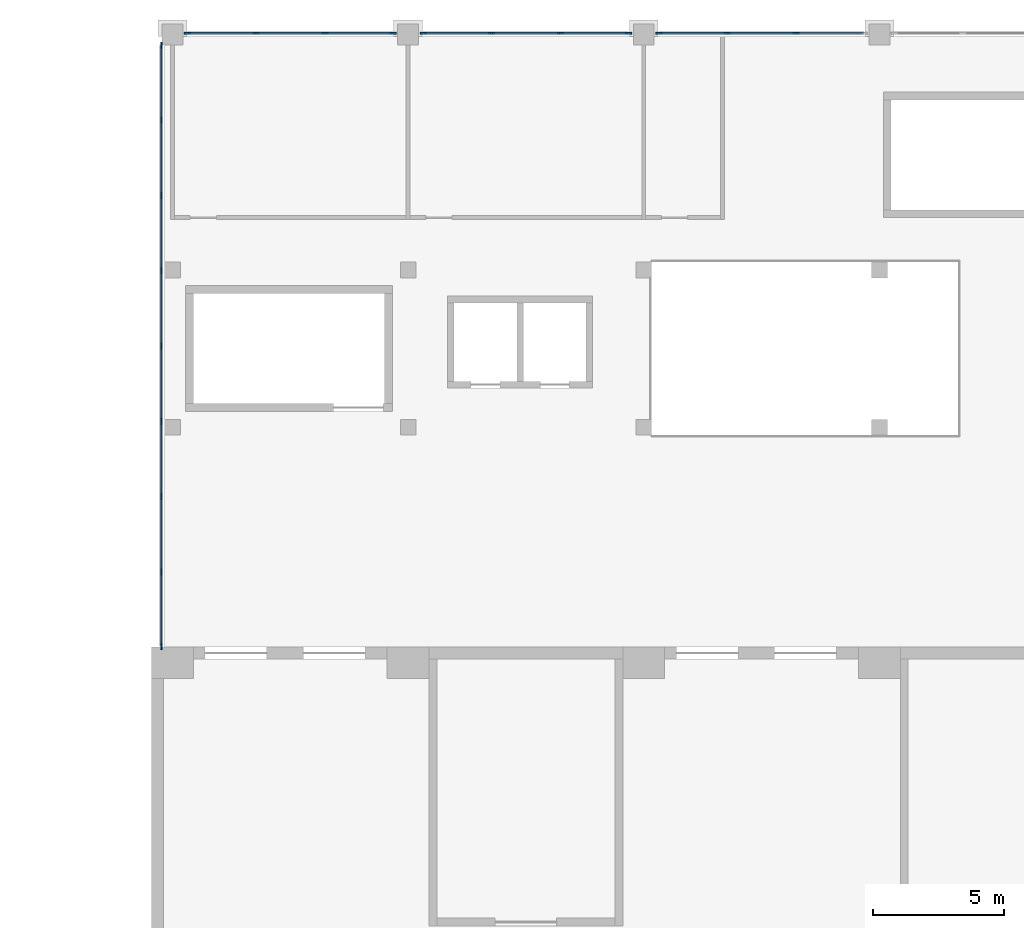
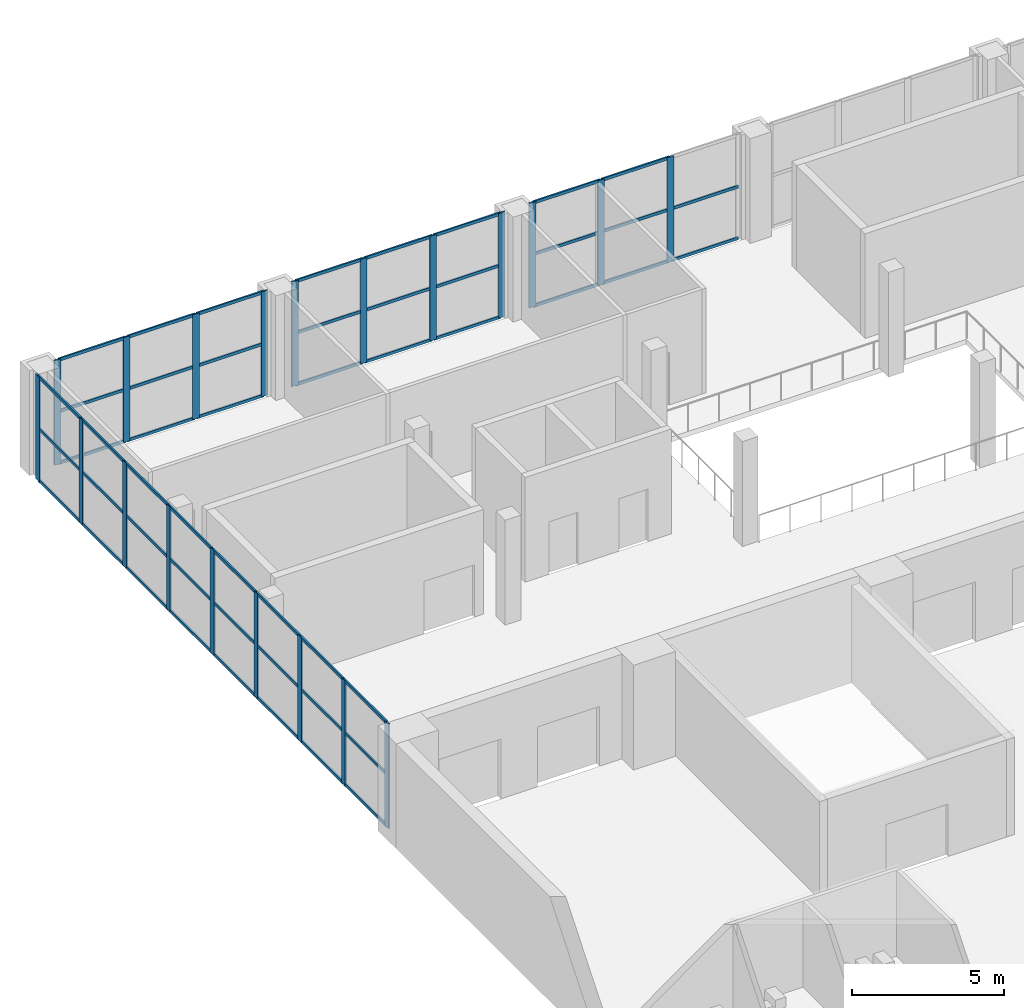
# One storey, part 3 of 39: 70 members, 4 elements without a shape of their own.
"""IFC4 building model written with IfcOpenShell, lengths in metres."""

from ifc_helpers import new_model, si_unit, direction, frame, origin, origin_2d, place, context, subcontext, project, spatial, rectangle, extrude, material, material_profile, profile_set, type_object, element, aggregate, save


model = new_model("IFC4")

# Units and contexts
model_context = context("Model", 3, precision=1e-05, world=origin(), true_north=direction((0.0, 1.0)))
body_context = subcontext(model_context, "Body", "Model", "MODEL_VIEW")
ifc_project = project(units=[si_unit("LENGTHUNIT", "METRE"), si_unit("AREAUNIT", "SQUARE_METRE"), si_unit("VOLUMEUNIT", "CUBIC_METRE"), si_unit("PLANEANGLEUNIT", "RADIAN"), si_unit("MASSUNIT", "GRAM", prefix="KILO")], contexts=[model_context])

# Site, building, storey
site_placement = place(None, origin())
site = spatial("IfcSite", under=ifc_project, at=site_placement, CompositionType="ELEMENT")
building_placement = place(site_placement, origin())
building = spatial("IfcBuilding", under=site, at=building_placement, Name="Aravalli Gate Trade Fair Centre", CompositionType="ELEMENT")
storey_placement = place(building_placement, frame((0.0, 0.0, 15.0)))
storey = spatial("IfcBuildingStorey", under=building, at=storey_placement, Name="L03", CompositionType="ELEMENT", Elevation=15.0)

# Curtain wall, members
ifc_material_1 = material(Name="Aluminium and glass", Category="aluminium")
curtain_wall_type = type_object("IfcCurtainWallType", Name="Curtain wall 3000 module, tall", PredefinedType="NOTDEFINED", material=ifc_material_1)
curtain_wall_1_placement = place(storey_placement, origin())
curtain_wall_1 = element("IfcCurtainWall", 1, at=curtain_wall_1_placement, inside=storey, type_object=curtain_wall_type, Name="Curtain wall north bay 1 L03", PredefinedType="NOTDEFINED")
ifc_material_2 = material(Name="Aluminium", Category="aluminium")
ifc_material_profile_1 = material_profile(ifc_material_2, rectangle(XDim=0.06005859375, YDim=0.25, at=origin_2d()), Name="Concourse curtain wall mullion 60 x 250")
ifc_profile_set_1 = profile_set([ifc_material_profile_1], Name="Aluminium")
member_type_1 = type_object("IfcMemberType", Name="Concourse curtain wall mullion 60 x 250", PredefinedType="MULLION", material=ifc_profile_set_1)
member_1_placement = place(storey_placement, frame((6.580078125, 133.044921875, 0.0), z_axis=(0.0, 0.0, 1.0), x_axis=(0.0, 1.0, 0.0)))
member_1 = element("IfcMember", 2, at=member_1_placement, type_object=member_type_1, Name="CW3 mullion 1", PredefinedType="MULLION", context=body_context, shape_type="SweptSolid", body=[
    extrude(rectangle(XDim=0.06005859375, YDim=0.25, at=origin_2d()), origin(), (0.0, 0.0, 1.0), 4.199951171875),
])
member_2_placement = place(storey_placement, frame((9.183349609375, 133.044921875, 0.0), z_axis=(0.0, 0.0, 1.0), x_axis=(0.0, 1.0, 0.0)))
member_2 = element("IfcMember", 3, at=member_2_placement, type_object=member_type_1, Name="CW3 mullion 2", PredefinedType="MULLION", context=body_context, shape_type="SweptSolid", body=[
    extrude(rectangle(XDim=0.06005859375, YDim=0.25, at=origin_2d()), origin(), (0.0, 0.0, 1.0), 4.199951171875),
])
member_3_placement = place(storey_placement, frame((11.816650390625, 133.044921875, 0.0), z_axis=(0.0, 0.0, 1.0), x_axis=(0.0, 1.0, 0.0)))
member_3 = element("IfcMember", 4, at=member_3_placement, type_object=member_type_1, Name="CW3 mullion 3", PredefinedType="MULLION", context=body_context, shape_type="SweptSolid", body=[
    extrude(rectangle(XDim=0.06005859375, YDim=0.25, at=origin_2d()), origin(), (0.0, 0.0, 1.0), 4.199951171875),
])
member_4_placement = place(storey_placement, frame((14.419921875, 133.044921875, 0.0), z_axis=(0.0, 0.0, 1.0), x_axis=(0.0, 1.0, 0.0)))
member_4 = element("IfcMember", 5, at=member_4_placement, type_object=member_type_1, Name="CW3 mullion 4", PredefinedType="MULLION", context=body_context, shape_type="SweptSolid", body=[
    extrude(rectangle(XDim=0.06005859375, YDim=0.25, at=origin_2d()), origin(), (0.0, 0.0, 1.0), 4.199951171875),
])

curtain_wall_2_placement = place(storey_placement, origin())
curtain_wall_2 = element("IfcCurtainWall", 6, at=curtain_wall_2_placement, inside=storey, type_object=curtain_wall_type, Name="Curtain wall north bay 2 L03", PredefinedType="NOTDEFINED")
member_5_placement = place(storey_placement, frame((15.580078125, 133.044921875, 0.0), z_axis=(0.0, 0.0, 1.0), x_axis=(0.0, 1.0, 0.0)))
member_5 = element("IfcMember", 7, at=member_5_placement, type_object=member_type_1, Name="CW3 mullion 1", PredefinedType="MULLION", context=body_context, shape_type="SweptSolid", body=[
    extrude(rectangle(XDim=0.06005859375, YDim=0.25, at=origin_2d()), origin(), (0.0, 0.0, 1.0), 4.199951171875),
])
member_6_placement = place(storey_placement, frame((18.183349609375, 133.044921875, 0.0), z_axis=(0.0, 0.0, 1.0), x_axis=(0.0, 1.0, 0.0)))
member_6 = element("IfcMember", 8, at=member_6_placement, type_object=member_type_1, Name="CW3 mullion 2", PredefinedType="MULLION", context=body_context, shape_type="SweptSolid", body=[
    extrude(rectangle(XDim=0.06005859375, YDim=0.25, at=origin_2d()), origin(), (0.0, 0.0, 1.0), 4.199951171875),
])
member_7_placement = place(storey_placement, frame((20.816650390625, 133.044921875, 0.0), z_axis=(0.0, 0.0, 1.0), x_axis=(0.0, 1.0, 0.0)))
member_7 = element("IfcMember", 9, at=member_7_placement, type_object=member_type_1, Name="CW3 mullion 3", PredefinedType="MULLION", context=body_context, shape_type="SweptSolid", body=[
    extrude(rectangle(XDim=0.06005859375, YDim=0.25, at=origin_2d()), origin(), (0.0, 0.0, 1.0), 4.199951171875),
])
member_8_placement = place(storey_placement, frame((23.419921875, 133.044921875, 0.0), z_axis=(0.0, 0.0, 1.0), x_axis=(0.0, 1.0, 0.0)))
member_8 = element("IfcMember", 10, at=member_8_placement, type_object=member_type_1, Name="CW3 mullion 4", PredefinedType="MULLION", context=body_context, shape_type="SweptSolid", body=[
    extrude(rectangle(XDim=0.06005859375, YDim=0.25, at=origin_2d()), origin(), (0.0, 0.0, 1.0), 4.199951171875),
])

curtain_wall_3_placement = place(storey_placement, origin())
curtain_wall_3 = element("IfcCurtainWall", 11, at=curtain_wall_3_placement, inside=storey, type_object=curtain_wall_type, Name="Curtain wall north bay 3 L03", PredefinedType="NOTDEFINED")
member_9_placement = place(storey_placement, frame((24.580078125, 133.044921875, 0.0), z_axis=(0.0, 0.0, 1.0), x_axis=(0.0, 1.0, 0.0)))
member_9 = element("IfcMember", 12, at=member_9_placement, type_object=member_type_1, Name="CW3 mullion 1", PredefinedType="MULLION", context=body_context, shape_type="SweptSolid", body=[
    extrude(rectangle(XDim=0.06005859375, YDim=0.25, at=origin_2d()), origin(), (0.0, 0.0, 1.0), 4.199951171875),
])
member_10_placement = place(storey_placement, frame((27.183349609375, 133.044921875, 0.0), z_axis=(0.0, 0.0, 1.0), x_axis=(0.0, 1.0, 0.0)))
member_10 = element("IfcMember", 13, at=member_10_placement, type_object=member_type_1, Name="CW3 mullion 2", PredefinedType="MULLION", context=body_context, shape_type="SweptSolid", body=[
    extrude(rectangle(XDim=0.06005859375, YDim=0.25, at=origin_2d()), origin(), (0.0, 0.0, 1.0), 4.199951171875),
])
member_11_placement = place(storey_placement, frame((29.816650390625, 133.044921875, 0.0), z_axis=(0.0, 0.0, 1.0), x_axis=(0.0, 1.0, 0.0)))
member_11 = element("IfcMember", 14, at=member_11_placement, type_object=member_type_1, Name="CW3 mullion 3", PredefinedType="MULLION", context=body_context, shape_type="SweptSolid", body=[
    extrude(rectangle(XDim=0.06005859375, YDim=0.25, at=origin_2d()), origin(), (0.0, 0.0, 1.0), 4.199951171875),
])

curtain_wall_4_placement = place(storey_placement, origin())
curtain_wall_4 = element("IfcCurtainWall", 15, at=curtain_wall_4_placement, inside=storey, type_object=curtain_wall_type, Name="Curtain wall west end L03", PredefinedType="NOTDEFINED")
member_12_placement = place(storey_placement, frame((5.574951171875, 109.6298828125, 0.0), z_axis=(0.0, 0.0, 1.0), x_axis=(-1.0, 0.0, 0.0)))
member_12 = element("IfcMember", 16, at=member_12_placement, type_object=member_type_1, Name="CW3 mullion 1", PredefinedType="MULLION", context=body_context, shape_type="SweptSolid", body=[
    extrude(rectangle(XDim=0.06005859375, YDim=0.25, at=origin_2d()), origin(), (0.0, 0.0, 1.0), 4.199951171875),
])
member_13_placement = place(storey_placement, frame((5.574951171875, 112.47509765625, 0.0), z_axis=(0.0, 0.0, 1.0), x_axis=(-1.0, 0.0, 0.0)))
member_13 = element("IfcMember", 17, at=member_13_placement, type_object=member_type_1, Name="CW3 mullion 2", PredefinedType="MULLION", context=body_context, shape_type="SweptSolid", body=[
    extrude(rectangle(XDim=0.06005859375, YDim=0.25, at=origin_2d()), origin(), (0.0, 0.0, 1.0), 4.199951171875),
])
member_14_placement = place(storey_placement, frame((5.574951171875, 115.35009765625, 0.0), z_axis=(0.0, 0.0, 1.0), x_axis=(-1.0, 0.0, 0.0)))
member_14 = element("IfcMember", 18, at=member_14_placement, type_object=member_type_1, Name="CW3 mullion 3", PredefinedType="MULLION", context=body_context, shape_type="SweptSolid", body=[
    extrude(rectangle(XDim=0.06005859375, YDim=0.25, at=origin_2d()), origin(), (0.0, 0.0, 1.0), 4.199951171875),
])
member_15_placement = place(storey_placement, frame((5.574951171875, 118.22509765625, 0.0), z_axis=(0.0, 0.0, 1.0), x_axis=(-1.0, 0.0, 0.0)))
member_15 = element("IfcMember", 19, at=member_15_placement, type_object=member_type_1, Name="CW3 mullion 4", PredefinedType="MULLION", context=body_context, shape_type="SweptSolid", body=[
    extrude(rectangle(XDim=0.06005859375, YDim=0.25, at=origin_2d()), origin(), (0.0, 0.0, 1.0), 4.199951171875),
])
member_16_placement = place(storey_placement, frame((5.574951171875, 121.10009765625, 0.0), z_axis=(0.0, 0.0, 1.0), x_axis=(-1.0, 0.0, 0.0)))
member_16 = element("IfcMember", 20, at=member_16_placement, type_object=member_type_1, Name="CW3 mullion 5", PredefinedType="MULLION", context=body_context, shape_type="SweptSolid", body=[
    extrude(rectangle(XDim=0.06005859375, YDim=0.25, at=origin_2d()), origin(), (0.0, 0.0, 1.0), 4.199951171875),
])
member_17_placement = place(storey_placement, frame((5.574951171875, 123.97509765625, 0.0), z_axis=(0.0, 0.0, 1.0), x_axis=(-1.0, 0.0, 0.0)))
member_17 = element("IfcMember", 21, at=member_17_placement, type_object=member_type_1, Name="CW3 mullion 6", PredefinedType="MULLION", context=body_context, shape_type="SweptSolid", body=[
    extrude(rectangle(XDim=0.06005859375, YDim=0.25, at=origin_2d()), origin(), (0.0, 0.0, 1.0), 4.199951171875),
])
member_18_placement = place(storey_placement, frame((5.574951171875, 126.85009765625, 0.0), z_axis=(0.0, 0.0, 1.0), x_axis=(-1.0, 0.0, 0.0)))
member_18 = element("IfcMember", 22, at=member_18_placement, type_object=member_type_1, Name="CW3 mullion 7", PredefinedType="MULLION", context=body_context, shape_type="SweptSolid", body=[
    extrude(rectangle(XDim=0.06005859375, YDim=0.25, at=origin_2d()), origin(), (0.0, 0.0, 1.0), 4.199951171875),
])
member_19_placement = place(storey_placement, frame((5.574951171875, 129.72509765625, 0.0), z_axis=(0.0, 0.0, 1.0), x_axis=(-1.0, 0.0, 0.0)))
member_19 = element("IfcMember", 23, at=member_19_placement, type_object=member_type_1, Name="CW3 mullion 8", PredefinedType="MULLION", context=body_context, shape_type="SweptSolid", body=[
    extrude(rectangle(XDim=0.06005859375, YDim=0.25, at=origin_2d()), origin(), (0.0, 0.0, 1.0), 4.199951171875),
])
member_20_placement = place(storey_placement, frame((5.574951171875, 132.570068359375, 0.0), z_axis=(0.0, 0.0, 1.0), x_axis=(-1.0, 0.0, 0.0)))
member_20 = element("IfcMember", 24, at=member_20_placement, type_object=member_type_1, Name="CW3 mullion 9", PredefinedType="MULLION", context=body_context, shape_type="SweptSolid", body=[
    extrude(rectangle(XDim=0.06005859375, YDim=0.25, at=origin_2d()), origin(), (0.0, 0.0, 1.0), 4.199951171875),
])

# Member
ifc_material_profile_2 = material_profile(ifc_material_2, rectangle(XDim=0.06005859375, YDim=0.1201171875, at=origin_2d()), Name="Concourse curtain wall transom 60 x 120")
ifc_profile_set_2 = profile_set([ifc_material_profile_2], Name="Aluminium")
member_type_2 = type_object("IfcMemberType", Name="Concourse curtain wall transom 60 x 120", PredefinedType="USERDEFINED", material=ifc_profile_set_2)
member_21_placement = place(storey_placement, frame((6.610107421875, 133.044921875, 0.030029296875), z_axis=(1.0, 0.0, 0.0), x_axis=(0.0, 1.0, 0.0)))
member_21 = element("IfcMember", 25, at=member_21_placement, type_object=member_type_2, Name="CW3 transom 1.1", ObjectType="TRANSOM", PredefinedType="USERDEFINED", context=body_context, shape_type="SweptSolid", body=[
    extrude(rectangle(XDim=0.06005859375, YDim=0.1201171875, at=origin_2d()), origin(), (0.0, 0.0, 1.0), 2.543212890625),
])

member_22_placement = place(storey_placement, frame((6.610107421875, 133.044921875, 2.10009765625), z_axis=(1.0, 0.0, 0.0), x_axis=(0.0, 1.0, 0.0)))
member_22 = element("IfcMember", 26, at=member_22_placement, type_object=member_type_2, Name="CW3 transom 1.2", ObjectType="TRANSOM", PredefinedType="USERDEFINED", context=body_context, shape_type="SweptSolid", body=[
    extrude(rectangle(XDim=0.06005859375, YDim=0.1201171875, at=origin_2d()), origin(), (0.0, 0.0, 1.0), 2.543212890625),
])

member_23_placement = place(storey_placement, frame((6.610107421875, 133.044921875, 4.169921875), z_axis=(1.0, 0.0, 0.0), x_axis=(0.0, 1.0, 0.0)))
member_23 = element("IfcMember", 27, at=member_23_placement, type_object=member_type_2, Name="CW3 transom 1.3", ObjectType="TRANSOM", PredefinedType="USERDEFINED", context=body_context, shape_type="SweptSolid", body=[
    extrude(rectangle(XDim=0.06005859375, YDim=0.1201171875, at=origin_2d()), origin(), (0.0, 0.0, 1.0), 2.543212890625),
])

member_24_placement = place(storey_placement, frame((9.21337890625, 133.044921875, 0.030029296875), z_axis=(1.0, 0.0, 0.0), x_axis=(0.0, 1.0, 0.0)))
member_24 = element("IfcMember", 28, at=member_24_placement, type_object=member_type_2, Name="CW3 transom 2.1", ObjectType="TRANSOM", PredefinedType="USERDEFINED", context=body_context, shape_type="SweptSolid", body=[
    extrude(rectangle(XDim=0.06005859375, YDim=0.1201171875, at=origin_2d()), origin(), (0.0, 0.0, 1.0), 2.5732421875),
])

member_25_placement = place(storey_placement, frame((9.21337890625, 133.044921875, 2.10009765625), z_axis=(1.0, 0.0, 0.0), x_axis=(0.0, 1.0, 0.0)))
member_25 = element("IfcMember", 29, at=member_25_placement, type_object=member_type_2, Name="CW3 transom 2.2", ObjectType="TRANSOM", PredefinedType="USERDEFINED", context=body_context, shape_type="SweptSolid", body=[
    extrude(rectangle(XDim=0.06005859375, YDim=0.1201171875, at=origin_2d()), origin(), (0.0, 0.0, 1.0), 2.5732421875),
])

member_26_placement = place(storey_placement, frame((9.21337890625, 133.044921875, 4.169921875), z_axis=(1.0, 0.0, 0.0), x_axis=(0.0, 1.0, 0.0)))
member_26 = element("IfcMember", 30, at=member_26_placement, type_object=member_type_2, Name="CW3 transom 2.3", ObjectType="TRANSOM", PredefinedType="USERDEFINED", context=body_context, shape_type="SweptSolid", body=[
    extrude(rectangle(XDim=0.06005859375, YDim=0.1201171875, at=origin_2d()), origin(), (0.0, 0.0, 1.0), 2.5732421875),
])

member_27_placement = place(storey_placement, frame((11.8466796875, 133.044921875, 0.030029296875), z_axis=(1.0, 0.0, 0.0), x_axis=(0.0, 1.0, 0.0)))
member_27 = element("IfcMember", 31, at=member_27_placement, type_object=member_type_2, Name="CW3 transom 3.1", ObjectType="TRANSOM", PredefinedType="USERDEFINED", context=body_context, shape_type="SweptSolid", body=[
    extrude(rectangle(XDim=0.06005859375, YDim=0.1201171875, at=origin_2d()), origin(), (0.0, 0.0, 1.0), 2.543212890625),
])

member_28_placement = place(storey_placement, frame((11.8466796875, 133.044921875, 2.10009765625), z_axis=(1.0, 0.0, 0.0), x_axis=(0.0, 1.0, 0.0)))
member_28 = element("IfcMember", 32, at=member_28_placement, type_object=member_type_2, Name="CW3 transom 3.2", ObjectType="TRANSOM", PredefinedType="USERDEFINED", context=body_context, shape_type="SweptSolid", body=[
    extrude(rectangle(XDim=0.06005859375, YDim=0.1201171875, at=origin_2d()), origin(), (0.0, 0.0, 1.0), 2.543212890625),
])

member_29_placement = place(storey_placement, frame((11.8466796875, 133.044921875, 4.169921875), z_axis=(1.0, 0.0, 0.0), x_axis=(0.0, 1.0, 0.0)))
member_29 = element("IfcMember", 33, at=member_29_placement, type_object=member_type_2, Name="CW3 transom 3.3", ObjectType="TRANSOM", PredefinedType="USERDEFINED", context=body_context, shape_type="SweptSolid", body=[
    extrude(rectangle(XDim=0.06005859375, YDim=0.1201171875, at=origin_2d()), origin(), (0.0, 0.0, 1.0), 2.543212890625),
])

aggregate(curtain_wall_1, [member_1, member_2, member_3, member_4, member_21, member_22, member_23, member_24, member_25, member_26, member_27, member_28, member_29])

member_30_placement = place(storey_placement, frame((15.610107421875, 133.044921875, 0.030029296875), z_axis=(1.0, 0.0, 0.0), x_axis=(0.0, 1.0, 0.0)))
member_30 = element("IfcMember", 34, at=member_30_placement, type_object=member_type_2, Name="CW3 transom 1.1", ObjectType="TRANSOM", PredefinedType="USERDEFINED", context=body_context, shape_type="SweptSolid", body=[
    extrude(rectangle(XDim=0.06005859375, YDim=0.1201171875, at=origin_2d()), origin(), (0.0, 0.0, 1.0), 2.543212890625),
])

member_31_placement = place(storey_placement, frame((15.610107421875, 133.044921875, 2.10009765625), z_axis=(1.0, 0.0, 0.0), x_axis=(0.0, 1.0, 0.0)))
member_31 = element("IfcMember", 35, at=member_31_placement, type_object=member_type_2, Name="CW3 transom 1.2", ObjectType="TRANSOM", PredefinedType="USERDEFINED", context=body_context, shape_type="SweptSolid", body=[
    extrude(rectangle(XDim=0.06005859375, YDim=0.1201171875, at=origin_2d()), origin(), (0.0, 0.0, 1.0), 2.543212890625),
])

member_32_placement = place(storey_placement, frame((15.610107421875, 133.044921875, 4.169921875), z_axis=(1.0, 0.0, 0.0), x_axis=(0.0, 1.0, 0.0)))
member_32 = element("IfcMember", 36, at=member_32_placement, type_object=member_type_2, Name="CW3 transom 1.3", ObjectType="TRANSOM", PredefinedType="USERDEFINED", context=body_context, shape_type="SweptSolid", body=[
    extrude(rectangle(XDim=0.06005859375, YDim=0.1201171875, at=origin_2d()), origin(), (0.0, 0.0, 1.0), 2.543212890625),
])

member_33_placement = place(storey_placement, frame((18.21337890625, 133.044921875, 0.030029296875), z_axis=(1.0, 0.0, 0.0), x_axis=(0.0, 1.0, 0.0)))
member_33 = element("IfcMember", 37, at=member_33_placement, type_object=member_type_2, Name="CW3 transom 2.1", ObjectType="TRANSOM", PredefinedType="USERDEFINED", context=body_context, shape_type="SweptSolid", body=[
    extrude(rectangle(XDim=0.06005859375, YDim=0.1201171875, at=origin_2d()), origin(), (0.0, 0.0, 1.0), 2.5732421875),
])

member_34_placement = place(storey_placement, frame((18.21337890625, 133.044921875, 2.10009765625), z_axis=(1.0, 0.0, 0.0), x_axis=(0.0, 1.0, 0.0)))
member_34 = element("IfcMember", 38, at=member_34_placement, type_object=member_type_2, Name="CW3 transom 2.2", ObjectType="TRANSOM", PredefinedType="USERDEFINED", context=body_context, shape_type="SweptSolid", body=[
    extrude(rectangle(XDim=0.06005859375, YDim=0.1201171875, at=origin_2d()), origin(), (0.0, 0.0, 1.0), 2.5732421875),
])

member_35_placement = place(storey_placement, frame((18.21337890625, 133.044921875, 4.169921875), z_axis=(1.0, 0.0, 0.0), x_axis=(0.0, 1.0, 0.0)))
member_35 = element("IfcMember", 39, at=member_35_placement, type_object=member_type_2, Name="CW3 transom 2.3", ObjectType="TRANSOM", PredefinedType="USERDEFINED", context=body_context, shape_type="SweptSolid", body=[
    extrude(rectangle(XDim=0.06005859375, YDim=0.1201171875, at=origin_2d()), origin(), (0.0, 0.0, 1.0), 2.5732421875),
])

member_36_placement = place(storey_placement, frame((20.8466796875, 133.044921875, 0.030029296875), z_axis=(1.0, 0.0, 0.0), x_axis=(0.0, 1.0, 0.0)))
member_36 = element("IfcMember", 40, at=member_36_placement, type_object=member_type_2, Name="CW3 transom 3.1", ObjectType="TRANSOM", PredefinedType="USERDEFINED", context=body_context, shape_type="SweptSolid", body=[
    extrude(rectangle(XDim=0.06005859375, YDim=0.1201171875, at=origin_2d()), origin(), (0.0, 0.0, 1.0), 2.543212890625),
])

member_37_placement = place(storey_placement, frame((20.8466796875, 133.044921875, 2.10009765625), z_axis=(1.0, 0.0, 0.0), x_axis=(0.0, 1.0, 0.0)))
member_37 = element("IfcMember", 41, at=member_37_placement, type_object=member_type_2, Name="CW3 transom 3.2", ObjectType="TRANSOM", PredefinedType="USERDEFINED", context=body_context, shape_type="SweptSolid", body=[
    extrude(rectangle(XDim=0.06005859375, YDim=0.1201171875, at=origin_2d()), origin(), (0.0, 0.0, 1.0), 2.543212890625),
])

member_38_placement = place(storey_placement, frame((20.8466796875, 133.044921875, 4.169921875), z_axis=(1.0, 0.0, 0.0), x_axis=(0.0, 1.0, 0.0)))
member_38 = element("IfcMember", 42, at=member_38_placement, type_object=member_type_2, Name="CW3 transom 3.3", ObjectType="TRANSOM", PredefinedType="USERDEFINED", context=body_context, shape_type="SweptSolid", body=[
    extrude(rectangle(XDim=0.06005859375, YDim=0.1201171875, at=origin_2d()), origin(), (0.0, 0.0, 1.0), 2.543212890625),
])

aggregate(curtain_wall_2, [member_5, member_6, member_7, member_8, member_30, member_31, member_32, member_33, member_34, member_35, member_36, member_37, member_38])

member_39_placement = place(storey_placement, frame((24.610107421875, 133.044921875, 0.030029296875), z_axis=(1.0, 0.0, 0.0), x_axis=(0.0, 1.0, 0.0)))
member_39 = element("IfcMember", 43, at=member_39_placement, type_object=member_type_2, Name="CW3 transom 1.1", ObjectType="TRANSOM", PredefinedType="USERDEFINED", context=body_context, shape_type="SweptSolid", body=[
    extrude(rectangle(XDim=0.06005859375, YDim=0.1201171875, at=origin_2d()), origin(), (0.0, 0.0, 1.0), 2.543212890625),
])

member_40_placement = place(storey_placement, frame((24.610107421875, 133.044921875, 2.10009765625), z_axis=(1.0, 0.0, 0.0), x_axis=(0.0, 1.0, 0.0)))
member_40 = element("IfcMember", 44, at=member_40_placement, type_object=member_type_2, Name="CW3 transom 1.2", ObjectType="TRANSOM", PredefinedType="USERDEFINED", context=body_context, shape_type="SweptSolid", body=[
    extrude(rectangle(XDim=0.06005859375, YDim=0.1201171875, at=origin_2d()), origin(), (0.0, 0.0, 1.0), 2.543212890625),
])

member_41_placement = place(storey_placement, frame((24.610107421875, 133.044921875, 4.169921875), z_axis=(1.0, 0.0, 0.0), x_axis=(0.0, 1.0, 0.0)))
member_41 = element("IfcMember", 45, at=member_41_placement, type_object=member_type_2, Name="CW3 transom 1.3", ObjectType="TRANSOM", PredefinedType="USERDEFINED", context=body_context, shape_type="SweptSolid", body=[
    extrude(rectangle(XDim=0.06005859375, YDim=0.1201171875, at=origin_2d()), origin(), (0.0, 0.0, 1.0), 2.543212890625),
])

member_42_placement = place(storey_placement, frame((27.21337890625, 133.044921875, 0.030029296875), z_axis=(1.0, 0.0, 0.0), x_axis=(0.0, 1.0, 0.0)))
member_42 = element("IfcMember", 46, at=member_42_placement, type_object=member_type_2, Name="CW3 transom 2.1", ObjectType="TRANSOM", PredefinedType="USERDEFINED", context=body_context, shape_type="SweptSolid", body=[
    extrude(rectangle(XDim=0.06005859375, YDim=0.1201171875, at=origin_2d()), origin(), (0.0, 0.0, 1.0), 2.5732421875),
])

member_43_placement = place(storey_placement, frame((27.21337890625, 133.044921875, 2.10009765625), z_axis=(1.0, 0.0, 0.0), x_axis=(0.0, 1.0, 0.0)))
member_43 = element("IfcMember", 47, at=member_43_placement, type_object=member_type_2, Name="CW3 transom 2.2", ObjectType="TRANSOM", PredefinedType="USERDEFINED", context=body_context, shape_type="SweptSolid", body=[
    extrude(rectangle(XDim=0.06005859375, YDim=0.1201171875, at=origin_2d()), origin(), (0.0, 0.0, 1.0), 2.5732421875),
])

member_44_placement = place(storey_placement, frame((27.21337890625, 133.044921875, 4.169921875), z_axis=(1.0, 0.0, 0.0), x_axis=(0.0, 1.0, 0.0)))
member_44 = element("IfcMember", 48, at=member_44_placement, type_object=member_type_2, Name="CW3 transom 2.3", ObjectType="TRANSOM", PredefinedType="USERDEFINED", context=body_context, shape_type="SweptSolid", body=[
    extrude(rectangle(XDim=0.06005859375, YDim=0.1201171875, at=origin_2d()), origin(), (0.0, 0.0, 1.0), 2.5732421875),
])

member_45_placement = place(storey_placement, frame((29.8466796875, 133.044921875, 0.030029296875), z_axis=(1.0, 0.0, 0.0), x_axis=(0.0, 1.0, 0.0)))
member_45 = element("IfcMember", 49, at=member_45_placement, type_object=member_type_2, Name="CW3 transom 3.1", ObjectType="TRANSOM", PredefinedType="USERDEFINED", context=body_context, shape_type="SweptSolid", body=[
    extrude(rectangle(XDim=0.06005859375, YDim=0.1201171875, at=origin_2d()), origin(), (0.0, 0.0, 1.0), 2.543212890625),
])

member_46_placement = place(storey_placement, frame((29.8466796875, 133.044921875, 2.10009765625), z_axis=(1.0, 0.0, 0.0), x_axis=(0.0, 1.0, 0.0)))
member_46 = element("IfcMember", 50, at=member_46_placement, type_object=member_type_2, Name="CW3 transom 3.2", ObjectType="TRANSOM", PredefinedType="USERDEFINED", context=body_context, shape_type="SweptSolid", body=[
    extrude(rectangle(XDim=0.06005859375, YDim=0.1201171875, at=origin_2d()), origin(), (0.0, 0.0, 1.0), 2.543212890625),
])

aggregate(curtain_wall_3, [member_9, member_10, member_11, member_39, member_40, member_41, member_42, member_43, member_44, member_45, member_46])

member_47_placement = place(storey_placement, frame((5.574951171875, 109.659912109375, 0.030029296875), z_axis=(0.0, 1.0, 0.0), x_axis=(-1.0, 0.0, 0.0)))
member_47 = element("IfcMember", 51, at=member_47_placement, type_object=member_type_2, Name="CW3 transom 1.1", ObjectType="TRANSOM", PredefinedType="USERDEFINED", context=body_context, shape_type="SweptSolid", body=[
    extrude(rectangle(XDim=0.06005859375, YDim=0.1201171875, at=origin_2d()), origin(), (0.0, 0.0, 1.0), 2.78515625),
])

member_48_placement = place(storey_placement, frame((5.574951171875, 109.659912109375, 2.10009765625), z_axis=(0.0, 1.0, 0.0), x_axis=(-1.0, 0.0, 0.0)))
member_48 = element("IfcMember", 52, at=member_48_placement, type_object=member_type_2, Name="CW3 transom 1.2", ObjectType="TRANSOM", PredefinedType="USERDEFINED", context=body_context, shape_type="SweptSolid", body=[
    extrude(rectangle(XDim=0.06005859375, YDim=0.1201171875, at=origin_2d()), origin(), (0.0, 0.0, 1.0), 2.78515625),
])

member_49_placement = place(storey_placement, frame((5.574951171875, 109.659912109375, 4.169921875), z_axis=(0.0, 1.0, 0.0), x_axis=(-1.0, 0.0, 0.0)))
member_49 = element("IfcMember", 53, at=member_49_placement, type_object=member_type_2, Name="CW3 transom 1.3", ObjectType="TRANSOM", PredefinedType="USERDEFINED", context=body_context, shape_type="SweptSolid", body=[
    extrude(rectangle(XDim=0.06005859375, YDim=0.1201171875, at=origin_2d()), origin(), (0.0, 0.0, 1.0), 2.78515625),
])

member_50_placement = place(storey_placement, frame((5.574951171875, 112.5048828125, 0.030029296875), z_axis=(0.0, 1.0, 0.0), x_axis=(-1.0, 0.0, 0.0)))
member_50 = element("IfcMember", 54, at=member_50_placement, type_object=member_type_2, Name="CW3 transom 2.1", ObjectType="TRANSOM", PredefinedType="USERDEFINED", context=body_context, shape_type="SweptSolid", body=[
    extrude(rectangle(XDim=0.06005859375, YDim=0.1201171875, at=origin_2d()), origin(), (0.0, 0.0, 1.0), 2.815185546875),
])

member_51_placement = place(storey_placement, frame((5.574951171875, 112.5048828125, 2.10009765625), z_axis=(0.0, 1.0, 0.0), x_axis=(-1.0, 0.0, 0.0)))
member_51 = element("IfcMember", 55, at=member_51_placement, type_object=member_type_2, Name="CW3 transom 2.2", ObjectType="TRANSOM", PredefinedType="USERDEFINED", context=body_context, shape_type="SweptSolid", body=[
    extrude(rectangle(XDim=0.06005859375, YDim=0.1201171875, at=origin_2d()), origin(), (0.0, 0.0, 1.0), 2.815185546875),
])

member_52_placement = place(storey_placement, frame((5.574951171875, 112.5048828125, 4.169921875), z_axis=(0.0, 1.0, 0.0), x_axis=(-1.0, 0.0, 0.0)))
member_52 = element("IfcMember", 56, at=member_52_placement, type_object=member_type_2, Name="CW3 transom 2.3", ObjectType="TRANSOM", PredefinedType="USERDEFINED", context=body_context, shape_type="SweptSolid", body=[
    extrude(rectangle(XDim=0.06005859375, YDim=0.1201171875, at=origin_2d()), origin(), (0.0, 0.0, 1.0), 2.815185546875),
])

member_53_placement = place(storey_placement, frame((5.574951171875, 115.3798828125, 0.030029296875), z_axis=(0.0, 1.0, 0.0), x_axis=(-1.0, 0.0, 0.0)))
member_53 = element("IfcMember", 57, at=member_53_placement, type_object=member_type_2, Name="CW3 transom 3.1", ObjectType="TRANSOM", PredefinedType="USERDEFINED", context=body_context, shape_type="SweptSolid", body=[
    extrude(rectangle(XDim=0.06005859375, YDim=0.1201171875, at=origin_2d()), origin(), (0.0, 0.0, 1.0), 2.815185546875),
])

member_54_placement = place(storey_placement, frame((5.574951171875, 115.3798828125, 2.10009765625), z_axis=(0.0, 1.0, 0.0), x_axis=(-1.0, 0.0, 0.0)))
member_54 = element("IfcMember", 58, at=member_54_placement, type_object=member_type_2, Name="CW3 transom 3.2", ObjectType="TRANSOM", PredefinedType="USERDEFINED", context=body_context, shape_type="SweptSolid", body=[
    extrude(rectangle(XDim=0.06005859375, YDim=0.1201171875, at=origin_2d()), origin(), (0.0, 0.0, 1.0), 2.815185546875),
])

member_55_placement = place(storey_placement, frame((5.574951171875, 115.3798828125, 4.169921875), z_axis=(0.0, 1.0, 0.0), x_axis=(-1.0, 0.0, 0.0)))
member_55 = element("IfcMember", 59, at=member_55_placement, type_object=member_type_2, Name="CW3 transom 3.3", ObjectType="TRANSOM", PredefinedType="USERDEFINED", context=body_context, shape_type="SweptSolid", body=[
    extrude(rectangle(XDim=0.06005859375, YDim=0.1201171875, at=origin_2d()), origin(), (0.0, 0.0, 1.0), 2.815185546875),
])

member_56_placement = place(storey_placement, frame((5.574951171875, 118.2548828125, 0.030029296875), z_axis=(0.0, 1.0, 0.0), x_axis=(-1.0, 0.0, 0.0)))
member_56 = element("IfcMember", 60, at=member_56_placement, type_object=member_type_2, Name="CW3 transom 4.1", ObjectType="TRANSOM", PredefinedType="USERDEFINED", context=body_context, shape_type="SweptSolid", body=[
    extrude(rectangle(XDim=0.06005859375, YDim=0.1201171875, at=origin_2d()), origin(), (0.0, 0.0, 1.0), 2.815185546875),
])

member_57_placement = place(storey_placement, frame((5.574951171875, 118.2548828125, 2.10009765625), z_axis=(0.0, 1.0, 0.0), x_axis=(-1.0, 0.0, 0.0)))
member_57 = element("IfcMember", 61, at=member_57_placement, type_object=member_type_2, Name="CW3 transom 4.2", ObjectType="TRANSOM", PredefinedType="USERDEFINED", context=body_context, shape_type="SweptSolid", body=[
    extrude(rectangle(XDim=0.06005859375, YDim=0.1201171875, at=origin_2d()), origin(), (0.0, 0.0, 1.0), 2.815185546875),
])

member_58_placement = place(storey_placement, frame((5.574951171875, 118.2548828125, 4.169921875), z_axis=(0.0, 1.0, 0.0), x_axis=(-1.0, 0.0, 0.0)))
member_58 = element("IfcMember", 62, at=member_58_placement, type_object=member_type_2, Name="CW3 transom 4.3", ObjectType="TRANSOM", PredefinedType="USERDEFINED", context=body_context, shape_type="SweptSolid", body=[
    extrude(rectangle(XDim=0.06005859375, YDim=0.1201171875, at=origin_2d()), origin(), (0.0, 0.0, 1.0), 2.815185546875),
])

member_59_placement = place(storey_placement, frame((5.574951171875, 121.1298828125, 0.030029296875), z_axis=(0.0, 1.0, 0.0), x_axis=(-1.0, 0.0, 0.0)))
member_59 = element("IfcMember", 63, at=member_59_placement, type_object=member_type_2, Name="CW3 transom 5.1", ObjectType="TRANSOM", PredefinedType="USERDEFINED", context=body_context, shape_type="SweptSolid", body=[
    extrude(rectangle(XDim=0.06005859375, YDim=0.1201171875, at=origin_2d()), origin(), (0.0, 0.0, 1.0), 2.815185546875),
])

member_60_placement = place(storey_placement, frame((5.574951171875, 121.1298828125, 2.10009765625), z_axis=(0.0, 1.0, 0.0), x_axis=(-1.0, 0.0, 0.0)))
member_60 = element("IfcMember", 64, at=member_60_placement, type_object=member_type_2, Name="CW3 transom 5.2", ObjectType="TRANSOM", PredefinedType="USERDEFINED", context=body_context, shape_type="SweptSolid", body=[
    extrude(rectangle(XDim=0.06005859375, YDim=0.1201171875, at=origin_2d()), origin(), (0.0, 0.0, 1.0), 2.815185546875),
])

member_61_placement = place(storey_placement, frame((5.574951171875, 121.1298828125, 4.169921875), z_axis=(0.0, 1.0, 0.0), x_axis=(-1.0, 0.0, 0.0)))
member_61 = element("IfcMember", 65, at=member_61_placement, type_object=member_type_2, Name="CW3 transom 5.3", ObjectType="TRANSOM", PredefinedType="USERDEFINED", context=body_context, shape_type="SweptSolid", body=[
    extrude(rectangle(XDim=0.06005859375, YDim=0.1201171875, at=origin_2d()), origin(), (0.0, 0.0, 1.0), 2.815185546875),
])

member_62_placement = place(storey_placement, frame((5.574951171875, 124.0048828125, 0.030029296875), z_axis=(0.0, 1.0, 0.0), x_axis=(-1.0, 0.0, 0.0)))
member_62 = element("IfcMember", 66, at=member_62_placement, type_object=member_type_2, Name="CW3 transom 6.1", ObjectType="TRANSOM", PredefinedType="USERDEFINED", context=body_context, shape_type="SweptSolid", body=[
    extrude(rectangle(XDim=0.06005859375, YDim=0.1201171875, at=origin_2d()), origin(), (0.0, 0.0, 1.0), 2.815185546875),
])

member_63_placement = place(storey_placement, frame((5.574951171875, 124.0048828125, 2.10009765625), z_axis=(0.0, 1.0, 0.0), x_axis=(-1.0, 0.0, 0.0)))
member_63 = element("IfcMember", 67, at=member_63_placement, type_object=member_type_2, Name="CW3 transom 6.2", ObjectType="TRANSOM", PredefinedType="USERDEFINED", context=body_context, shape_type="SweptSolid", body=[
    extrude(rectangle(XDim=0.06005859375, YDim=0.1201171875, at=origin_2d()), origin(), (0.0, 0.0, 1.0), 2.815185546875),
])

member_64_placement = place(storey_placement, frame((5.574951171875, 124.0048828125, 4.169921875), z_axis=(0.0, 1.0, 0.0), x_axis=(-1.0, 0.0, 0.0)))
member_64 = element("IfcMember", 68, at=member_64_placement, type_object=member_type_2, Name="CW3 transom 6.3", ObjectType="TRANSOM", PredefinedType="USERDEFINED", context=body_context, shape_type="SweptSolid", body=[
    extrude(rectangle(XDim=0.06005859375, YDim=0.1201171875, at=origin_2d()), origin(), (0.0, 0.0, 1.0), 2.815185546875),
])

member_65_placement = place(storey_placement, frame((5.574951171875, 126.8798828125, 0.030029296875), z_axis=(0.0, 1.0, 0.0), x_axis=(-1.0, 0.0, 0.0)))
member_65 = element("IfcMember", 69, at=member_65_placement, type_object=member_type_2, Name="CW3 transom 7.1", ObjectType="TRANSOM", PredefinedType="USERDEFINED", context=body_context, shape_type="SweptSolid", body=[
    extrude(rectangle(XDim=0.06005859375, YDim=0.1201171875, at=origin_2d()), origin(), (0.0, 0.0, 1.0), 2.815185546875),
])

member_66_placement = place(storey_placement, frame((5.574951171875, 126.8798828125, 2.10009765625), z_axis=(0.0, 1.0, 0.0), x_axis=(-1.0, 0.0, 0.0)))
member_66 = element("IfcMember", 70, at=member_66_placement, type_object=member_type_2, Name="CW3 transom 7.2", ObjectType="TRANSOM", PredefinedType="USERDEFINED", context=body_context, shape_type="SweptSolid", body=[
    extrude(rectangle(XDim=0.06005859375, YDim=0.1201171875, at=origin_2d()), origin(), (0.0, 0.0, 1.0), 2.815185546875),
])

member_67_placement = place(storey_placement, frame((5.574951171875, 126.8798828125, 4.169921875), z_axis=(0.0, 1.0, 0.0), x_axis=(-1.0, 0.0, 0.0)))
member_67 = element("IfcMember", 71, at=member_67_placement, type_object=member_type_2, Name="CW3 transom 7.3", ObjectType="TRANSOM", PredefinedType="USERDEFINED", context=body_context, shape_type="SweptSolid", body=[
    extrude(rectangle(XDim=0.06005859375, YDim=0.1201171875, at=origin_2d()), origin(), (0.0, 0.0, 1.0), 2.815185546875),
])

member_68_placement = place(storey_placement, frame((5.574951171875, 129.7548828125, 0.030029296875), z_axis=(0.0, 1.0, 0.0), x_axis=(-1.0, 0.0, 0.0)))
member_68 = element("IfcMember", 72, at=member_68_placement, type_object=member_type_2, Name="CW3 transom 8.1", ObjectType="TRANSOM", PredefinedType="USERDEFINED", context=body_context, shape_type="SweptSolid", body=[
    extrude(rectangle(XDim=0.06005859375, YDim=0.1201171875, at=origin_2d()), origin(), (0.0, 0.0, 1.0), 2.78515625),
])

member_69_placement = place(storey_placement, frame((5.574951171875, 129.7548828125, 2.10009765625), z_axis=(0.0, 1.0, 0.0), x_axis=(-1.0, 0.0, 0.0)))
member_69 = element("IfcMember", 73, at=member_69_placement, type_object=member_type_2, Name="CW3 transom 8.2", ObjectType="TRANSOM", PredefinedType="USERDEFINED", context=body_context, shape_type="SweptSolid", body=[
    extrude(rectangle(XDim=0.06005859375, YDim=0.1201171875, at=origin_2d()), origin(), (0.0, 0.0, 1.0), 2.78515625),
])

member_70_placement = place(storey_placement, frame((5.574951171875, 129.7548828125, 4.169921875), z_axis=(0.0, 1.0, 0.0), x_axis=(-1.0, 0.0, 0.0)))
member_70 = element("IfcMember", 74, at=member_70_placement, type_object=member_type_2, Name="CW3 transom 8.3", ObjectType="TRANSOM", PredefinedType="USERDEFINED", context=body_context, shape_type="SweptSolid", body=[
    extrude(rectangle(XDim=0.06005859375, YDim=0.1201171875, at=origin_2d()), origin(), (0.0, 0.0, 1.0), 2.78515625),
])

aggregate(curtain_wall_4, [member_12, member_13, member_14, member_15, member_16, member_17, member_18, member_19, member_20, member_47, member_48, member_49, member_50, member_51, member_52, member_53, member_54, member_55, member_56, member_57, member_58, member_59, member_60, member_61, member_62, member_63, member_64, member_65, member_66, member_67, member_68, member_69, member_70])

save(model, "model.ifc")
